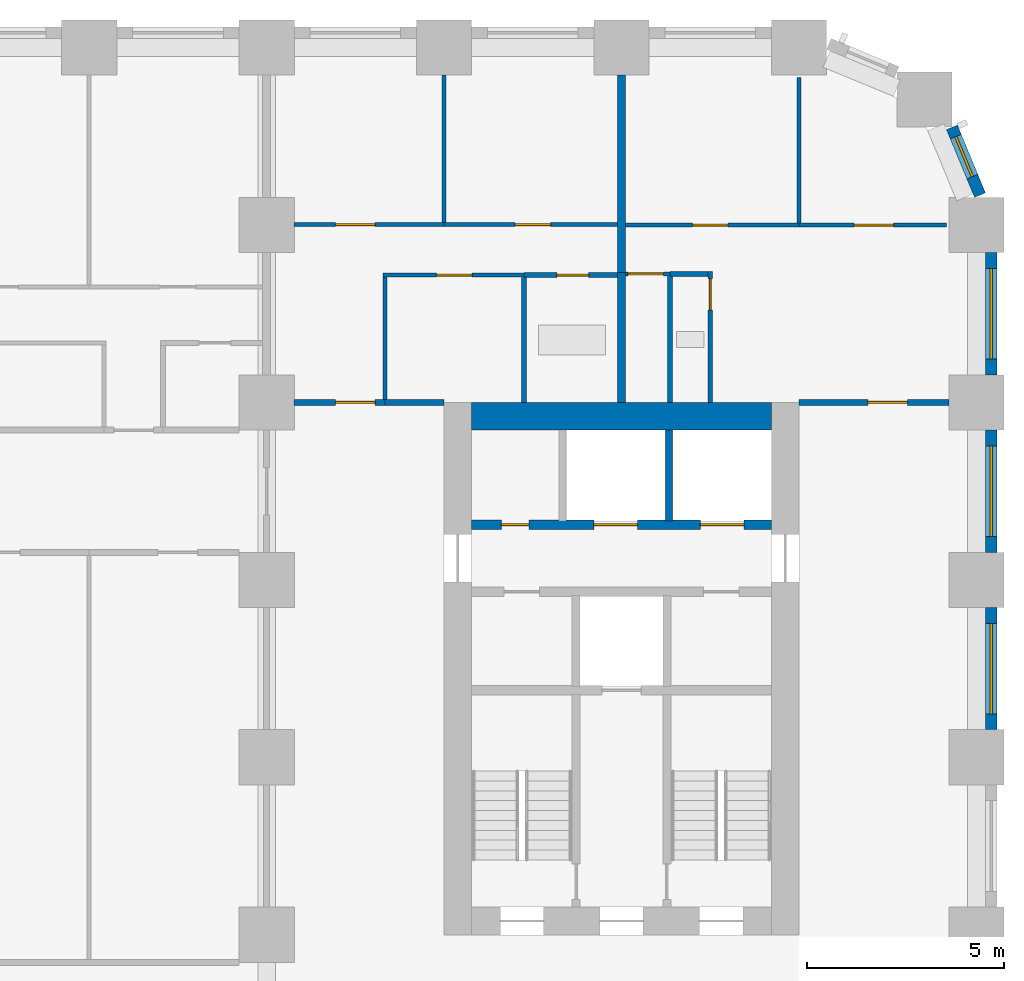
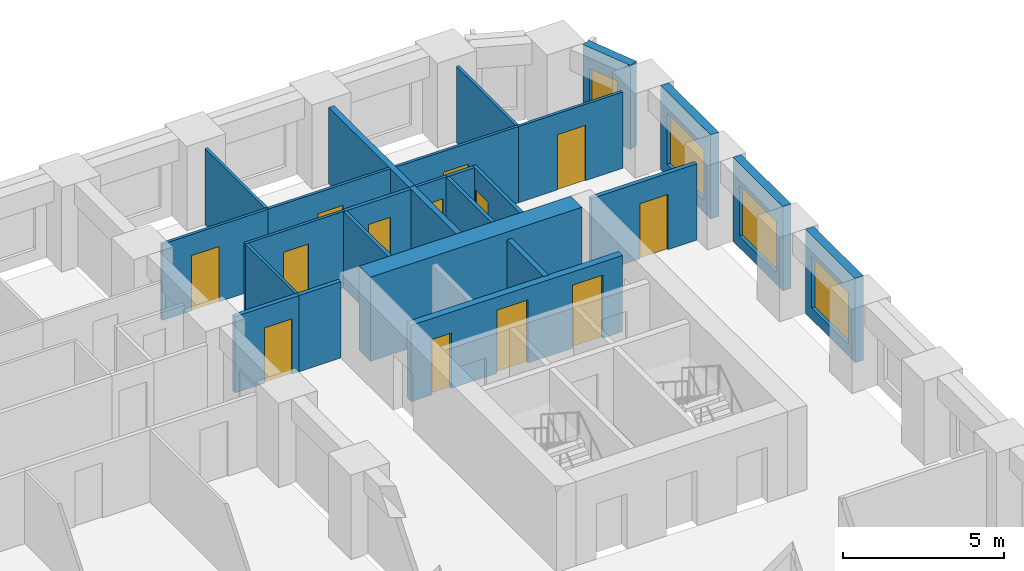
# One storey, part 9 of 13: 26 walls, 13 doors, 4 windows, 17 openings.
"""IFC4 building model written with IfcOpenShell, lengths in metres."""

from ifc_helpers import new_model, si_unit, direction, frame, frame_2d, origin, place, context, subcontext, project, spatial, rectangle, extrude, material, layer, layer_set, type_object, element, fill, save


model = new_model("IFC4")

# Units and contexts
model_context = context("Model", 3, precision=1e-05, world=origin(), true_north=direction((0.0, 1.0)))
body_context = subcontext(model_context, "Body", "Model", "MODEL_VIEW")
ifc_project = project(units=[si_unit("LENGTHUNIT", "METRE"), si_unit("AREAUNIT", "SQUARE_METRE"), si_unit("VOLUMEUNIT", "CUBIC_METRE"), si_unit("PLANEANGLEUNIT", "RADIAN"), si_unit("MASSUNIT", "GRAM", prefix="KILO")], contexts=[model_context])

# Site, building, storey
site_placement = place(None, origin())
site = spatial("IfcSite", under=ifc_project, at=site_placement, CompositionType="ELEMENT")
building_placement = place(site_placement, origin())
building = spatial("IfcBuilding", under=site, at=building_placement, Name="Girih Gate Residences", CompositionType="ELEMENT")
storey_placement = place(building_placement, frame((0.0, 0.0, 46.39990234375)))
storey = spatial("IfcBuildingStorey", under=building, at=storey_placement, Name="L11", CompositionType="ELEMENT", Elevation=46.39990234375)

# Wall, opening, door
ifc_material_1 = material(Name="Gypsum board on steel studs", Category="steel")
ifc_layer_1 = layer(ifc_material_1, 0.14990234375)
ifc_layer_set_1 = layer_set([ifc_layer_1], Name="Compartment wall 150 mm")
wall_type_1 = type_object("IfcWallType", Name="Compartment wall 150 mm", PredefinedType="PARTITIONING", material=ifc_layer_set_1)
wall_1_placement = place(storey_placement, frame((45.0, 40.5, 0.0), z_axis=(0.0, 0.0, 1.0), x_axis=(1.0, 0.0, 0.0)))
wall_1 = element("IfcWall", 1, at=wall_1_placement, inside=storey, type_object=wall_type_1, Name="L11 partition", PredefinedType="PARTITIONING", context=body_context, shape_type="SweptSolid", body=[
    extrude(rectangle(XDim=3.800048828125, YDim=0.14990234375, at=frame_2d((1.89990234375, 0.0))), origin(), (0.0, 0.0, 1.0), 2.900146484375),
])
opening_1_placement = place(wall_1_placement, frame((1.75, 0.0, 0.0)))
opening_1 = element("IfcOpeningElement", 2, at=opening_1_placement, cuts=wall_1, Name="Opening A11-032", PredefinedType="OPENING", context=body_context, shape_type="SweptSolid", body=[
    extrude(rectangle(XDim=1.0, YDim=2.10009765625, at=frame_2d((0.5, 1.050048828125))), frame((0.0, 0.0849609375, 0.0), z_axis=(0.0, -1.0, 0.0), x_axis=(1.0, 0.0, 0.0)), (0.0, 0.0, 1.0), 0.169921875),
])
ifc_material_2 = material(Name="Timber, fire-rated core", Category="wood")
door_type_1 = type_object("IfcDoorType", Name="Flat entrance door 1000x2100 FD30S", OperationType="NOTDEFINED", PredefinedType="DOOR", material=ifc_material_2)
door_1_placement = place(opening_1_placement, origin())
door_1 = element("IfcDoor", 3, at=door_1_placement, inside=storey, type_object=door_type_1, Name="Door A11-032", OperationType="SINGLE_SWING_RIGHT", OverallHeight=2.10009765625, OverallWidth=1.0, PredefinedType="DOOR", context=body_context, shape_type="SweptSolid", body=[
    extrude(rectangle(XDim=1.0, YDim=2.10009765625, at=frame_2d((0.5, 1.050048828125))), frame((0.0, 0.02490234375, 0.0), z_axis=(0.0, -1.0, 0.0), x_axis=(1.0, 0.0, 0.0)), (0.0, 0.0, 1.0), 0.050048828125),
])
fill(opening_1, door_1)

wall_2_placement = place(storey_placement, frame((32.199951171875, 40.5, 0.0), z_axis=(0.0, 0.0, 1.0), x_axis=(1.0, 0.0, 0.0)))
wall_2 = element("IfcWall", 4, at=wall_2_placement, inside=storey, type_object=wall_type_1, Name="L11 partition", PredefinedType="PARTITIONING", context=body_context, shape_type="SweptSolid", body=[
    extrude(rectangle(XDim=2.300048828125, YDim=0.14990234375, at=frame_2d((1.14990234375, 0.0))), origin(), (0.0, 0.0, 1.0), 2.900146484375),
])
opening_2_placement = place(wall_2_placement, frame((1.050048828125, 0.0, 0.0)))
opening_2 = element("IfcOpeningElement", 5, at=opening_2_placement, cuts=wall_2, Name="Opening A11-037", PredefinedType="OPENING", context=body_context, shape_type="SweptSolid", body=[
    extrude(rectangle(XDim=1.0, YDim=2.10009765625, at=frame_2d((0.5, 1.050048828125))), frame((0.0, 0.0849609375, 0.0), z_axis=(0.0, -1.0, 0.0), x_axis=(1.0, 0.0, 0.0)), (0.0, 0.0, 1.0), 0.169921875),
])
door_2_placement = place(opening_2_placement, origin())
door_2 = element("IfcDoor", 6, at=door_2_placement, inside=storey, type_object=door_type_1, Name="Door A11-037", OperationType="SINGLE_SWING_RIGHT", OverallHeight=2.10009765625, OverallWidth=1.0, PredefinedType="DOOR", context=body_context, shape_type="SweptSolid", body=[
    extrude(rectangle(XDim=1.0, YDim=2.10009765625, at=frame_2d((0.5, 1.050048828125))), frame((0.0, 0.02490234375, 0.0), z_axis=(0.0, -1.0, 0.0), x_axis=(1.0, 0.0, 0.0)), (0.0, 0.0, 1.0), 0.050048828125),
])
fill(opening_2, door_2)

# Walls
wall_3_placement = place(storey_placement, frame((34.5, 40.5, 0.0), z_axis=(0.0, 0.0, 1.0), x_axis=(1.0, 0.0, 0.0)))
element("IfcWall", 7, at=wall_3_placement, inside=storey, type_object=wall_type_1, Name="L11 partition", PredefinedType="PARTITIONING", context=body_context, shape_type="SweptSolid", body=[
    extrude(rectangle(XDim=1.5, YDim=0.14990234375, at=frame_2d((0.75, 0.0))), origin(), (0.0, 0.0, 1.0), 2.900146484375),
])
ifc_material_3 = material(Name="Concrete C60/75", Category="concrete")
ifc_layer_2 = layer(ifc_material_3, 0.699951171875)
ifc_layer_set_2 = layer_set([ifc_layer_2], Name="Core wall RC 700 Concrete C60/75")
wall_type_2 = type_object("IfcWallType", Name="Core wall RC 700 Concrete C60/75", PredefinedType="SOLIDWALL", material=ifc_layer_set_2)
wall_4_placement = place(storey_placement, frame((36.699951171875, 40.14990234375, 0.0), z_axis=(0.0, 0.0, 1.0), x_axis=(1.0, 0.0, 0.0)))
element("IfcWall", 8, at=wall_4_placement, inside=storey, type_object=wall_type_2, Name="Core wall E-N L11", PredefinedType="SOLIDWALL", context=body_context, shape_type="SweptSolid", body=[
    extrude(rectangle(XDim=7.60009765625, YDim=0.699951171875, at=frame_2d((3.800048828125, 0.0))), origin(), (0.0, 0.0, 1.0), 3.2001953125),
])

# Wall, openings, doors
ifc_material_4 = material(Name="Concrete C40/50", Category="concrete")
ifc_layer_3 = layer(ifc_material_4, 0.25)
ifc_layer_set_3 = layer_set([ifc_layer_3], Name="Lift shaft wall 250")
wall_type_3 = type_object("IfcWallType", Name="Lift shaft wall 250", PredefinedType="SOLIDWALL", material=ifc_layer_set_3)
wall_5_placement = place(storey_placement, frame((36.699951171875, 37.39990234375, 0.0), z_axis=(0.0, 0.0, 1.0), x_axis=(1.0, 0.0, 0.0)))
wall_5 = element("IfcWall", 9, at=wall_5_placement, inside=storey, type_object=wall_type_3, Name="L11 E core wall H3", PredefinedType="SOLIDWALL", context=body_context, shape_type="SweptSolid", body=[
    extrude(rectangle(XDim=7.60009765625, YDim=0.25, at=frame_2d((3.800048828125, 0.0))), origin(), (0.0, 0.0, 1.0), 2.900146484375),
])
opening_3_placement = place(wall_5_placement, frame((5.800048828125, 0.0, 0.0)))
opening_3 = element("IfcOpeningElement", 10, at=opening_3_placement, cuts=wall_5, Name="Opening D-L11-E-003", PredefinedType="OPENING", context=body_context, shape_type="SweptSolid", body=[
    extrude(rectangle(XDim=1.10009765625, YDim=2.39990234375, at=frame_2d((0.550048828125, 1.199951171875))), frame((0.0, 0.135009765625, 0.0), z_axis=(0.0, -1.0, 0.0), x_axis=(1.0, 0.0, 0.0)), (0.0, 0.0, 1.0), 0.27001953125),
])
opening_4_placement = place(wall_5_placement, frame((3.10009765625, 0.0, 0.0)))
opening_4 = element("IfcOpeningElement", 11, at=opening_4_placement, cuts=wall_5, Name="Opening D-L11-E-004", PredefinedType="OPENING", context=body_context, shape_type="SweptSolid", body=[
    extrude(rectangle(XDim=1.10009765625, YDim=2.39990234375, at=frame_2d((0.550048828125, 1.199951171875))), frame((0.0, 0.135009765625, 0.0), z_axis=(0.0, -1.0, 0.0), x_axis=(1.0, 0.0, 0.0)), (0.0, 0.0, 1.0), 0.27001953125),
])
opening_5_placement = place(wall_5_placement, frame((0.75, 0.0, 0.0)))
opening_5 = element("IfcOpeningElement", 12, at=opening_5_placement, cuts=wall_5, Name="Opening D-L11-E-006", PredefinedType="OPENING", context=body_context, shape_type="SweptSolid", body=[
    extrude(rectangle(XDim=0.699951171875, YDim=2.10009765625, at=frame_2d((0.35009765625, 1.050048828125))), frame((0.0, 0.135009765625, 0.0), z_axis=(0.0, -1.0, 0.0), x_axis=(1.0, 0.0, 0.0)), (0.0, 0.0, 1.0), 0.27001953125),
])
ifc_material_5 = material(Name="Stainless steel", Category="steel")
door_type_2 = type_object("IfcDoorType", Name="Lift landing door 1100x2400", OperationType="SLIDING_TO_LEFT", PredefinedType="DOOR", material=ifc_material_5)
door_3_placement = place(opening_3_placement, origin())
door_3 = element("IfcDoor", 13, at=door_3_placement, inside=storey, type_object=door_type_2, Name="L11 lift LR-E1 landing door", OperationType="SLIDING_TO_LEFT", OverallHeight=2.39990234375, OverallWidth=1.10009765625, PredefinedType="DOOR", context=body_context, shape_type="SweptSolid", body=[
    extrude(rectangle(XDim=1.10009765625, YDim=2.39990234375, at=frame_2d((0.550048828125, 1.199951171875))), frame((0.0, 0.02490234375, 0.0), z_axis=(0.0, -1.0, 0.0), x_axis=(1.0, 0.0, 0.0)), (0.0, 0.0, 1.0), 0.050048828125),
])
fill(opening_3, door_3)
door_4_placement = place(opening_4_placement, origin())
door_4 = element("IfcDoor", 14, at=door_4_placement, inside=storey, type_object=door_type_2, Name="L11 lift LR-E2 landing door", OperationType="SLIDING_TO_LEFT", OverallHeight=2.39990234375, OverallWidth=1.10009765625, PredefinedType="DOOR", context=body_context, shape_type="SweptSolid", body=[
    extrude(rectangle(XDim=1.10009765625, YDim=2.39990234375, at=frame_2d((0.550048828125, 1.199951171875))), frame((0.0, 0.02490234375, 0.0), z_axis=(0.0, -1.0, 0.0), x_axis=(1.0, 0.0, 0.0)), (0.0, 0.0, 1.0), 0.050048828125),
])
fill(opening_4, door_4)
ifc_material_6 = material(Name="Painted steel, fire-resisting", Category="steel")
door_type_3 = type_object("IfcDoorType", Name="Riser access door 700x2100", OperationType="SINGLE_SWING_LEFT", PredefinedType="DOOR", material=ifc_material_6)
door_5_placement = place(opening_5_placement, origin())
door_5 = element("IfcDoor", 15, at=door_5_placement, inside=storey, type_object=door_type_3, Name="L11 E riser room door", OperationType="SINGLE_SWING_LEFT", OverallHeight=2.10009765625, OverallWidth=0.699951171875, PredefinedType="DOOR", context=body_context, shape_type="SweptSolid", body=[
    extrude(rectangle(XDim=0.699951171875, YDim=2.10009765625, at=frame_2d((0.35009765625, 1.050048828125))), frame((0.0, 0.02490234375, 0.0), z_axis=(0.0, -1.0, 0.0), x_axis=(1.0, 0.0, 0.0)), (0.0, 0.0, 1.0), 0.050048828125),
])
fill(opening_5, door_5)

# Wall, opening, door
ifc_layer_4 = layer(ifc_material_1, 0.10009765625)
ifc_layer_set_4 = layer_set([ifc_layer_4], Name="Partition 100 mm")
wall_type_4 = type_object("IfcWallType", Name="Partition 100 mm", PredefinedType="PARTITIONING", material=ifc_layer_set_4)
wall_6_placement = place(storey_placement, frame((40.60009765625, 45.0, 0.0), z_axis=(0.0, 0.0, 1.0), x_axis=(1.0, 0.0, 0.0)))
wall_6 = element("IfcWall", 16, at=wall_6_placement, inside=storey, type_object=wall_type_4, Name="L11 partition", PredefinedType="PARTITIONING", context=body_context, shape_type="SweptSolid", body=[
    extrude(rectangle(XDim=4.39990234375, YDim=0.10009765625, at=frame_2d((2.199951171875, 0.0))), origin(), (0.0, 0.0, 1.0), 2.900146484375),
])
opening_6_placement = place(wall_6_placement, frame((1.699951171875, 0.0, 0.0)))
opening_6 = element("IfcOpeningElement", 17, at=opening_6_placement, cuts=wall_6, Name="Opening A11-029", PredefinedType="OPENING", context=body_context, shape_type="SweptSolid", body=[
    extrude(rectangle(XDim=0.89990234375, YDim=2.10009765625, at=frame_2d((0.449951171875, 1.050048828125))), frame((0.0, 0.06005859375, 0.0), z_axis=(0.0, -1.0, 0.0), x_axis=(1.0, 0.0, 0.0)), (0.0, 0.0, 1.0), 0.1201171875),
])
ifc_material_7 = material(Name="Timber", Category="wood")
door_type_4 = type_object("IfcDoorType", Name="Bedroom door 900x2100", OperationType="NOTDEFINED", PredefinedType="DOOR", material=ifc_material_7)
door_6_placement = place(opening_6_placement, origin())
door_6 = element("IfcDoor", 18, at=door_6_placement, inside=storey, type_object=door_type_4, Name="Door A11-029", OperationType="SINGLE_SWING_LEFT", OverallHeight=2.10009765625, OverallWidth=0.89990234375, PredefinedType="DOOR", context=body_context, shape_type="SweptSolid", body=[
    extrude(rectangle(XDim=0.89990234375, YDim=2.10009765625, at=frame_2d((0.449951171875, 1.050048828125))), frame((0.0, 0.02490234375, 0.0), z_axis=(0.0, -1.0, 0.0), x_axis=(1.0, 0.0, 0.0)), (0.0, 0.0, 1.0), 0.050048828125),
])
fill(opening_6, door_6)

# Wall
wall_7_placement = place(storey_placement, frame((45.0, 45.050048828125, 0.0), z_axis=(0.0, 0.0, 1.0), x_axis=(0.0, 1.0, 0.0)))
element("IfcWall", 19, at=wall_7_placement, inside=storey, type_object=wall_type_4, Name="L11 partition", PredefinedType="PARTITIONING", context=body_context, shape_type="SweptSolid", body=[
    extrude(rectangle(XDim=3.6923828125, YDim=0.10009765625, at=frame_2d((1.84619140625, 0.0))), origin(), (0.0, 0.0, 1.0), 2.900146484375),
])

# Wall, opening, door
wall_8_placement = place(storey_placement, frame((41.727294921875, 43.760009765625, 0.0), z_axis=(0.0, 0.0, 1.0), x_axis=(-1.0, 0.0, 0.0)))
wall_8 = element("IfcWall", 20, at=wall_8_placement, inside=storey, type_object=wall_type_4, Name="L11 partition", PredefinedType="PARTITIONING", context=body_context, shape_type="SweptSolid", body=[
    extrude(rectangle(XDim=1.127197265625, YDim=0.10009765625, at=frame_2d((0.5634765625, 0.0))), origin(), (0.0, 0.0, 1.0), 2.900146484375),
])
opening_7_placement = place(wall_8_placement, frame((0.16357421875, 0.0, 0.0)))
opening_7 = element("IfcOpeningElement", 21, at=opening_7_placement, cuts=wall_8, Name="Opening A11-030", PredefinedType="OPENING", context=body_context, shape_type="SweptSolid", body=[
    extrude(rectangle(XDim=0.89990234375, YDim=2.10009765625, at=frame_2d((0.449951171875, 1.050048828125))), frame((0.0, 0.06005859375, 0.0), z_axis=(0.0, -1.0, 0.0), x_axis=(1.0, 0.0, 0.0)), (0.0, 0.0, 1.0), 0.1201171875),
])
door_type_5 = type_object("IfcDoorType", Name="Kitchen door 900x2100", OperationType="NOTDEFINED", PredefinedType="DOOR", material=ifc_material_7)
door_7_placement = place(opening_7_placement, origin())
door_7 = element("IfcDoor", 22, at=door_7_placement, inside=storey, type_object=door_type_5, Name="Door A11-030", OperationType="SINGLE_SWING_RIGHT", OverallHeight=2.10009765625, OverallWidth=0.89990234375, PredefinedType="DOOR", context=body_context, shape_type="SweptSolid", body=[
    extrude(rectangle(XDim=0.89990234375, YDim=2.10009765625, at=frame_2d((0.449951171875, 1.050048828125))), frame((0.0, 0.02490234375, 0.0), z_axis=(0.0, -1.0, 0.0), x_axis=(1.0, 0.0, 0.0)), (0.0, 0.0, 1.0), 0.050048828125),
])
fill(opening_7, door_7)

wall_9_placement = place(storey_placement, frame((45.0, 45.0, 0.0), z_axis=(0.0, 0.0, 1.0), x_axis=(1.0, 0.0, 0.0)))
wall_9 = element("IfcWall", 23, at=wall_9_placement, inside=storey, type_object=wall_type_4, Name="L11 partition", PredefinedType="PARTITIONING", context=body_context, shape_type="SweptSolid", body=[
    extrude(rectangle(XDim=3.742431640625, YDim=0.10009765625, at=frame_2d((1.87109375, 0.0))), origin(), (0.0, 0.0, 1.0), 2.900146484375),
])
opening_8_placement = place(wall_9_placement, frame((1.39990234375, 0.0, 0.0)))
opening_8 = element("IfcOpeningElement", 24, at=opening_8_placement, cuts=wall_9, Name="Opening A11-031", PredefinedType="OPENING", context=body_context, shape_type="SweptSolid", body=[
    extrude(rectangle(XDim=1.0, YDim=2.10009765625, at=frame_2d((0.5, 1.050048828125))), frame((0.0, 0.06005859375, 0.0), z_axis=(0.0, -1.0, 0.0), x_axis=(1.0, 0.0, 0.0)), (0.0, 0.0, 1.0), 0.1201171875),
])
door_type_6 = type_object("IfcDoorType", Name="Living room door 1000x2100", OperationType="NOTDEFINED", PredefinedType="DOOR", material=ifc_material_7)
door_8_placement = place(opening_8_placement, origin())
door_8 = element("IfcDoor", 25, at=door_8_placement, inside=storey, type_object=door_type_6, Name="Door A11-031", OperationType="SINGLE_SWING_RIGHT", OverallHeight=2.10009765625, OverallWidth=1.0, PredefinedType="DOOR", context=body_context, shape_type="SweptSolid", body=[
    extrude(rectangle(XDim=1.0, YDim=2.10009765625, at=frame_2d((0.5, 1.050048828125))), frame((0.0, 0.02490234375, 0.0), z_axis=(0.0, -1.0, 0.0), x_axis=(1.0, 0.0, 0.0)), (0.0, 0.0, 1.0), 0.050048828125),
])
fill(opening_8, door_8)

wall_10_placement = place(storey_placement, frame((36.0, 45.010009765625, 0.0), z_axis=(0.0, 0.0, 1.0), x_axis=(1.0, 0.0, 0.0)))
wall_10 = element("IfcWall", 26, at=wall_10_placement, inside=storey, type_object=wall_type_4, Name="L11 partition", PredefinedType="PARTITIONING", context=body_context, shape_type="SweptSolid", body=[
    extrude(rectangle(XDim=4.39990234375, YDim=0.10009765625, at=frame_2d((2.199951171875, 0.0))), origin(), (0.0, 0.0, 1.0), 2.900146484375),
])
opening_9_placement = place(wall_10_placement, frame((1.800048828125, 0.0, 0.0)))
opening_9 = element("IfcOpeningElement", 27, at=opening_9_placement, cuts=wall_10, Name="Opening A11-034", PredefinedType="OPENING", context=body_context, shape_type="SweptSolid", body=[
    extrude(rectangle(XDim=0.89990234375, YDim=2.10009765625, at=frame_2d((0.449951171875, 1.050048828125))), frame((0.0, 0.06005859375, 0.0), z_axis=(0.0, -1.0, 0.0), x_axis=(1.0, 0.0, 0.0)), (0.0, 0.0, 1.0), 0.1201171875),
])
door_9_placement = place(opening_9_placement, origin())
door_9 = element("IfcDoor", 28, at=door_9_placement, inside=storey, type_object=door_type_4, Name="Door A11-034", OperationType="SINGLE_SWING_RIGHT", OverallHeight=2.10009765625, OverallWidth=0.89990234375, PredefinedType="DOOR", context=body_context, shape_type="SweptSolid", body=[
    extrude(rectangle(XDim=0.89990234375, YDim=2.10009765625, at=frame_2d((0.449951171875, 1.050048828125))), frame((0.0, 0.02490234375, 0.0), z_axis=(0.0, -1.0, 0.0), x_axis=(1.0, 0.0, 0.0)), (0.0, 0.0, 1.0), 0.050048828125),
])
fill(opening_9, door_9)

# Wall
wall_11_placement = place(storey_placement, frame((36.0, 45.06005859375, 0.0), z_axis=(0.0, 0.0, 1.0), x_axis=(0.0, 1.0, 0.0)))
element("IfcWall", 29, at=wall_11_placement, inside=storey, type_object=wall_type_4, Name="L11 partition", PredefinedType="PARTITIONING", context=body_context, shape_type="SweptSolid", body=[
    extrude(rectangle(XDim=3.739990234375, YDim=0.10009765625, at=frame_2d((1.8701171875, 0.0))), origin(), (0.0, 0.0, 1.0), 2.900146484375),
])

# Wall, opening, door
wall_12_placement = place(storey_placement, frame((38.026611328125, 43.72998046875, 0.0), z_axis=(0.0, 0.0, 1.0), x_axis=(-1.0, 0.0, 0.0)))
wall_12 = element("IfcWall", 30, at=wall_12_placement, inside=storey, type_object=wall_type_4, Name="L11 partition", PredefinedType="PARTITIONING", context=body_context, shape_type="SweptSolid", body=[
    extrude(rectangle(XDim=3.57666015625, YDim=0.10009765625, at=frame_2d((1.788330078125, 0.0))), origin(), (0.0, 0.0, 1.0), 2.900146484375),
])
opening_10_placement = place(wall_12_placement, frame((1.313232421875, 0.0, 0.0)))
opening_10 = element("IfcOpeningElement", 31, at=opening_10_placement, cuts=wall_12, Name="Opening A11-035", PredefinedType="OPENING", context=body_context, shape_type="SweptSolid", body=[
    extrude(rectangle(XDim=0.89990234375, YDim=2.10009765625, at=frame_2d((0.449951171875, 1.050048828125))), frame((0.0, 0.06005859375, 0.0), z_axis=(0.0, -1.0, 0.0), x_axis=(1.0, 0.0, 0.0)), (0.0, 0.0, 1.0), 0.1201171875),
])
door_10_placement = place(opening_10_placement, origin())
door_10 = element("IfcDoor", 32, at=door_10_placement, inside=storey, type_object=door_type_5, Name="Door A11-035", OperationType="SINGLE_SWING_LEFT", OverallHeight=2.10009765625, OverallWidth=0.89990234375, PredefinedType="DOOR", context=body_context, shape_type="SweptSolid", body=[
    extrude(rectangle(XDim=0.89990234375, YDim=2.10009765625, at=frame_2d((0.449951171875, 1.050048828125))), frame((0.0, 0.02490234375, 0.0), z_axis=(0.0, -1.0, 0.0), x_axis=(1.0, 0.0, 0.0)), (0.0, 0.0, 1.0), 0.050048828125),
])
fill(opening_10, door_10)

# Wall
wall_13_placement = place(storey_placement, frame((34.5, 40.574951171875, 0.0), z_axis=(0.0, 0.0, 1.0), x_axis=(0.0, 1.0, 0.0)))
element("IfcWall", 33, at=wall_13_placement, inside=storey, type_object=wall_type_4, Name="L11 partition", PredefinedType="PARTITIONING", context=body_context, shape_type="SweptSolid", body=[
    extrude(rectangle(XDim=3.10498046875, YDim=0.10009765625, at=frame_2d((1.552490234375, 0.0))), origin(), (0.0, 0.0, 1.0), 2.900146484375),
])

# Wall, opening, door
wall_14_placement = place(storey_placement, frame((32.199951171875, 45.010009765625, 0.0), z_axis=(0.0, 0.0, 1.0), x_axis=(1.0, 0.0, 0.0)))
wall_14 = element("IfcWall", 34, at=wall_14_placement, inside=storey, type_object=wall_type_4, Name="L11 partition", PredefinedType="PARTITIONING", context=body_context, shape_type="SweptSolid", body=[
    extrude(rectangle(XDim=3.800048828125, YDim=0.10009765625, at=frame_2d((1.89990234375, 0.0))), origin(), (0.0, 0.0, 1.0), 2.900146484375),
])
opening_11_placement = place(wall_14_placement, frame((1.050048828125, 0.0, 0.0)))
opening_11 = element("IfcOpeningElement", 35, at=opening_11_placement, cuts=wall_14, Name="Opening A11-036", PredefinedType="OPENING", context=body_context, shape_type="SweptSolid", body=[
    extrude(rectangle(XDim=1.0, YDim=2.10009765625, at=frame_2d((0.5, 1.050048828125))), frame((0.0, 0.06005859375, 0.0), z_axis=(0.0, -1.0, 0.0), x_axis=(1.0, 0.0, 0.0)), (0.0, 0.0, 1.0), 0.1201171875),
])
door_11_placement = place(opening_11_placement, origin())
door_11 = element("IfcDoor", 36, at=door_11_placement, inside=storey, type_object=door_type_6, Name="Door A11-036", OperationType="SINGLE_SWING_LEFT", OverallHeight=2.10009765625, OverallWidth=1.0, PredefinedType="DOOR", context=body_context, shape_type="SweptSolid", body=[
    extrude(rectangle(XDim=1.0, YDim=2.10009765625, at=frame_2d((0.5, 1.050048828125))), frame((0.0, 0.02490234375, 0.0), z_axis=(0.0, -1.0, 0.0), x_axis=(1.0, 0.0, 0.0)), (0.0, 0.0, 1.0), 0.050048828125),
])
fill(opening_11, door_11)

# Walls
ifc_layer_5 = layer(ifc_material_1, 0.199951171875)
ifc_layer_set_5 = layer_set([ifc_layer_5], Name="Party wall 200 mm")
wall_type_5 = type_object("IfcWallType", Name="Party wall 200 mm", PredefinedType="PARTITIONING", material=ifc_layer_set_5)
wall_15_placement = place(storey_placement, frame((40.5, 43.7099609375, 0.0), z_axis=(0.0, 0.0, 1.0), x_axis=(0.0, 1.0, 0.0)))
element("IfcWall", 37, at=wall_15_placement, inside=storey, type_object=wall_type_5, Name="L11 partition", PredefinedType="PARTITIONING", context=body_context, shape_type="SweptSolid", body=[
    extrude(rectangle(XDim=5.090087890625, YDim=0.199951171875, at=frame_2d((2.544921875, 0.0))), origin(), (0.0, 0.0, 1.0), 2.900146484375),
])
wall_16_placement = place(storey_placement, frame((40.5, 40.5, 0.0), z_axis=(0.0, 0.0, 1.0), x_axis=(0.0, 1.0, 0.0)))
element("IfcWall", 38, at=wall_16_placement, inside=storey, type_object=wall_type_5, Name="L11 partition", PredefinedType="PARTITIONING", context=body_context, shape_type="SweptSolid", body=[
    extrude(rectangle(XDim=3.29248046875, YDim=0.199951171875, at=frame_2d((1.646240234375, 0.0))), origin(), (0.0, 0.0, 1.0), 2.900146484375),
])

# Wall, opening, window
ifc_material_8 = material(Name="Precast concrete C50/60", Category="concrete")
ifc_layer_6 = layer(ifc_material_8, 0.080078125, Name="Outer leaf")
ifc_material_9 = material(Name="Rigid PIR insulation")
ifc_layer_7 = layer(ifc_material_9, 0.14990234375, Name="Insulation")
ifc_material_10 = material(Name="Precast concrete C40/50", Category="concrete")
ifc_layer_8 = layer(ifc_material_10, 0.070068359375, Name="Inner leaf")
ifc_layer_set_6 = layer_set([ifc_layer_6, ifc_layer_7, ifc_layer_8], Name="Precast concrete C50/60 external wall 300")
wall_type_6 = type_object("IfcWallType", Name="Precast concrete C50/60 external wall 300", PredefinedType="SOLIDWALL", material=ifc_layer_set_6)
wall_17_placement = place(storey_placement, frame((49.875, 35.300048828125, 0.0), z_axis=(0.0, 0.0, 1.0), x_axis=(0.0, -1.0, 0.0)))
wall_17 = element("IfcWall", 39, at=wall_17_placement, inside=storey, type_object=wall_type_6, Name="External wall E0495_0045.6", PredefinedType="SOLIDWALL", context=body_context, shape_type="SweptSolid", body=[
    extrude(rectangle(XDim=3.10009765625, YDim=0.300048828125, at=frame_2d((1.550048828125, 0.0))), origin(), (0.0, 0.0, 1.0), 3.2001953125),
])
opening_12_placement = place(wall_17_placement, frame((0.39990234375, 0.0, 0.449951171875)))
opening_12 = element("IfcOpeningElement", 40, at=opening_12_placement, cuts=wall_17, Name="Opening W-1", PredefinedType="OPENING", context=body_context, shape_type="SweptSolid", body=[
    extrude(rectangle(XDim=2.300048828125, YDim=1.949951171875, at=frame_2d((1.14990234375, 0.97509765625))), frame((0.0, 0.159912109375, 0.0), z_axis=(0.0, -1.0, 0.0), x_axis=(1.0, 0.0, 0.0)), (0.0, 0.0, 1.0), 0.320068359375),
])
ifc_material_11 = material(Name="Double glazing in aluminium frame", Category="aluminium")
window_type_1 = type_object("IfcWindowType", Name="Window W-1 2300x1950", PartitioningType="SINGLE_PANEL", PredefinedType="WINDOW", material=ifc_material_11)
window_1_placement = place(opening_12_placement, origin())
window_1 = element("IfcWindow", 41, at=window_1_placement, inside=storey, type_object=window_type_1, Name="Window W-1 E0495_0045.6", OverallHeight=1.949951171875, OverallWidth=2.300048828125, PartitioningType="SINGLE_PANEL", PredefinedType="WINDOW", context=body_context, shape_type="SweptSolid", body=[
    extrude(rectangle(XDim=2.300048828125, YDim=1.949951171875, at=frame_2d((1.14990234375, 0.97509765625))), frame((0.0, 0.030029296875, 0.0), z_axis=(0.0, -1.0, 0.0), x_axis=(1.0, 0.0, 0.0)), (0.0, 0.0, 1.0), 0.06005859375),
])
fill(opening_12, window_1)

wall_18_placement = place(storey_placement, frame((49.875, 39.800048828125, 0.0), z_axis=(0.0, 0.0, 1.0), x_axis=(0.0, -1.0, 0.0)))
wall_18 = element("IfcWall", 42, at=wall_18_placement, inside=storey, type_object=wall_type_6, Name="External wall E0495_0045.7", PredefinedType="SOLIDWALL", context=body_context, shape_type="SweptSolid", body=[
    extrude(rectangle(XDim=3.10009765625, YDim=0.300048828125, at=frame_2d((1.550048828125, 0.0))), origin(), (0.0, 0.0, 1.0), 3.2001953125),
])
opening_13_placement = place(wall_18_placement, frame((0.39990234375, 0.0, 0.449951171875)))
opening_13 = element("IfcOpeningElement", 43, at=opening_13_placement, cuts=wall_18, Name="Opening W-1", PredefinedType="OPENING", context=body_context, shape_type="SweptSolid", body=[
    extrude(rectangle(XDim=2.300048828125, YDim=1.949951171875, at=frame_2d((1.14990234375, 0.97509765625))), frame((0.0, 0.159912109375, 0.0), z_axis=(0.0, -1.0, 0.0), x_axis=(1.0, 0.0, 0.0)), (0.0, 0.0, 1.0), 0.320068359375),
])
window_2_placement = place(opening_13_placement, origin())
window_2 = element("IfcWindow", 44, at=window_2_placement, inside=storey, type_object=window_type_1, Name="Window W-1 E0495_0045.7", OverallHeight=1.949951171875, OverallWidth=2.300048828125, PartitioningType="SINGLE_PANEL", PredefinedType="WINDOW", context=body_context, shape_type="SweptSolid", body=[
    extrude(rectangle(XDim=2.300048828125, YDim=1.949951171875, at=frame_2d((1.14990234375, 0.97509765625))), frame((0.0, 0.030029296875, 0.0), z_axis=(0.0, -1.0, 0.0), x_axis=(1.0, 0.0, 0.0)), (0.0, 0.0, 1.0), 0.06005859375),
])
fill(opening_13, window_2)

wall_19_placement = place(storey_placement, frame((49.875, 44.300048828125, 0.0), z_axis=(0.0, 0.0, 1.0), x_axis=(0.0, -1.0, 0.0)))
wall_19 = element("IfcWall", 45, at=wall_19_placement, inside=storey, type_object=wall_type_6, Name="External wall E0495_0045.8", PredefinedType="SOLIDWALL", context=body_context, shape_type="SweptSolid", body=[
    extrude(rectangle(XDim=3.10009765625, YDim=0.300048828125, at=frame_2d((1.550048828125, 0.0))), origin(), (0.0, 0.0, 1.0), 3.2001953125),
])
opening_14_placement = place(wall_19_placement, frame((0.39990234375, 0.0, 0.449951171875)))
opening_14 = element("IfcOpeningElement", 46, at=opening_14_placement, cuts=wall_19, Name="Opening W-1", PredefinedType="OPENING", context=body_context, shape_type="SweptSolid", body=[
    extrude(rectangle(XDim=2.300048828125, YDim=1.949951171875, at=frame_2d((1.14990234375, 0.97509765625))), frame((0.0, 0.159912109375, 0.0), z_axis=(0.0, -1.0, 0.0), x_axis=(1.0, 0.0, 0.0)), (0.0, 0.0, 1.0), 0.320068359375),
])
window_3_placement = place(opening_14_placement, origin())
window_3 = element("IfcWindow", 47, at=window_3_placement, inside=storey, type_object=window_type_1, Name="Window W-1 E0495_0045.8", OverallHeight=1.949951171875, OverallWidth=2.300048828125, PartitioningType="SINGLE_PANEL", PredefinedType="WINDOW", context=body_context, shape_type="SweptSolid", body=[
    extrude(rectangle(XDim=2.300048828125, YDim=1.949951171875, at=frame_2d((1.14990234375, 0.97509765625))), frame((0.0, 0.030029296875, 0.0), z_axis=(0.0, -1.0, 0.0), x_axis=(1.0, 0.0, 0.0)), (0.0, 0.0, 1.0), 0.06005859375),
])
fill(opening_14, window_3)

wall_20_placement = place(storey_placement, frame((48.87841796875, 47.48046875, 0.0), z_axis=(0.0, 0.0, 1.0), x_axis=(0.38262540684, -0.923903565336, 0.0)))
wall_20 = element("IfcWall", 48, at=wall_20_placement, inside=storey, type_object=wall_type_6, Name="External wall NE0495_0450.0", PredefinedType="SOLIDWALL", context=body_context, shape_type="SweptSolid", body=[
    extrude(rectangle(XDim=1.864990234375, YDim=0.300048828125, at=frame_2d((0.9326171875, 0.0))), origin(), (0.0, 0.0, 1.0), 3.2001953125),
])
opening_15_placement = place(wall_20_placement, frame((0.257568359375, 0.0, 0.449951171875)))
opening_15 = element("IfcOpeningElement", 49, at=opening_15_placement, cuts=wall_20, Name="Opening W-2C", PredefinedType="OPENING", context=body_context, shape_type="SweptSolid", body=[
    extrude(rectangle(XDim=1.10009765625, YDim=1.949951171875, at=frame_2d((0.550048828125, 0.97509765625))), frame((0.0, 0.159912109375, 0.0), z_axis=(0.0, -1.0, 0.0), x_axis=(1.0, 0.0, 0.0)), (0.0, 0.0, 1.0), 0.320068359375),
])
window_type_2 = type_object("IfcWindowType", Name="Window W-2C 1100x1950", PartitioningType="SINGLE_PANEL", PredefinedType="WINDOW", material=ifc_material_11)
window_4_placement = place(opening_15_placement, origin())
window_4 = element("IfcWindow", 50, at=window_4_placement, inside=storey, type_object=window_type_2, Name="Window W-2C NE0495_0450.0", OverallHeight=1.949951171875, OverallWidth=1.10009765625, PartitioningType="SINGLE_PANEL", PredefinedType="WINDOW", context=body_context, shape_type="SweptSolid", body=[
    extrude(rectangle(XDim=1.10009765625, YDim=1.949951171875, at=frame_2d((0.550048828125, 0.97509765625))), frame((0.0, 0.030029296875, 0.0), z_axis=(0.0, -1.0, 0.0), x_axis=(1.0, 0.0, 0.0)), (0.0, 0.0, 1.0), 0.06005859375),
])
fill(opening_15, window_4)

# Walls
ifc_layer_9 = layer(ifc_material_4, 0.175048828125)
ifc_layer_set_7 = layer_set([ifc_layer_9], Name="Riser shaft wall 175")
wall_type_7 = type_object("IfcWallType", Name="Riser shaft wall 175", PredefinedType="SOLIDWALL", material=ifc_layer_set_7)
wall_21_placement = place(storey_placement, frame((41.699951171875, 37.5, 0.0), z_axis=(0.0, 0.0, 1.0), x_axis=(0.0, 1.0, 0.0)))
element("IfcWall", 51, at=wall_21_placement, inside=storey, type_object=wall_type_7, Name="L11 E core wall V1c", PredefinedType="SOLIDWALL", context=body_context, shape_type="SweptSolid", body=[
    extrude(rectangle(XDim=2.300048828125, YDim=0.175048828125, at=frame_2d((1.14990234375, 0.0))), origin(), (0.0, 0.0, 1.0), 2.900146484375),
])
ifc_layer_10 = layer(ifc_material_1, 0.125)
ifc_layer_set_8 = layer_set([ifc_layer_10], Name="Wet room wall 125 mm")
wall_type_8 = type_object("IfcWallType", Name="Wet room wall 125 mm", PredefinedType="PARTITIONING", material=ifc_layer_set_8)
wall_22_placement = place(storey_placement, frame((41.727294921875, 43.760009765625, 0.0), z_axis=(0.0, 0.0, 1.0), x_axis=(1.0, 0.0, 0.0)))
element("IfcWall", 52, at=wall_22_placement, inside=storey, type_object=wall_type_8, Name="L11 partition", PredefinedType="PARTITIONING", context=body_context, shape_type="SweptSolid", body=[
    extrude(rectangle(XDim=0.960205078125, YDim=0.125, at=frame_2d((0.47998046875, 0.0))), origin(), (0.0, 0.0, 1.0), 2.900146484375),
])

# Wall, opening, door
wall_23_placement = place(storey_placement, frame((42.75, 40.5, 0.0), z_axis=(0.0, 0.0, 1.0), x_axis=(0.0, 1.0, 0.0)))
wall_23 = element("IfcWall", 53, at=wall_23_placement, inside=storey, type_object=wall_type_8, Name="L11 partition", PredefinedType="PARTITIONING", context=body_context, shape_type="SweptSolid", body=[
    extrude(rectangle(XDim=3.322509765625, YDim=0.125, at=frame_2d((1.6611328125, 0.0))), origin(), (0.0, 0.0, 1.0), 2.900146484375),
])
opening_16_placement = place(wall_23_placement, frame((2.340087890625, 0.0, 0.0)))
opening_16 = element("IfcOpeningElement", 54, at=opening_16_placement, cuts=wall_23, Name="Opening A11-028", PredefinedType="OPENING", context=body_context, shape_type="SweptSolid", body=[
    extrude(rectangle(XDim=0.800048828125, YDim=2.10009765625, at=frame_2d((0.39990234375, 1.050048828125))), frame((0.0, 0.072509765625, 0.0), z_axis=(0.0, -1.0, 0.0), x_axis=(1.0, 0.0, 0.0)), (0.0, 0.0, 1.0), 0.14501953125),
])
door_type_7 = type_object("IfcDoorType", Name="Bathroom door 800x2100", OperationType="NOTDEFINED", PredefinedType="DOOR", material=ifc_material_7)
door_12_placement = place(opening_16_placement, origin())
door_12 = element("IfcDoor", 55, at=door_12_placement, inside=storey, type_object=door_type_7, Name="Door A11-028", OperationType="SINGLE_SWING_RIGHT", OverallHeight=2.10009765625, OverallWidth=0.800048828125, PredefinedType="DOOR", context=body_context, shape_type="SweptSolid", body=[
    extrude(rectangle(XDim=0.800048828125, YDim=2.10009765625, at=frame_2d((0.39990234375, 1.050048828125))), frame((0.0, 0.02490234375, 0.0), z_axis=(0.0, -1.0, 0.0), x_axis=(1.0, 0.0, 0.0)), (0.0, 0.0, 1.0), 0.050048828125),
])
fill(opening_16, door_12)

# Wall
wall_24_placement = place(storey_placement, frame((41.72705078125, 40.5, 0.0), z_axis=(0.0, 0.0, 1.0), x_axis=(0.0, 1.0, 0.0)))
element("IfcWall", 56, at=wall_24_placement, inside=storey, type_object=wall_type_8, Name="L11 partition", PredefinedType="PARTITIONING", context=body_context, shape_type="SweptSolid", body=[
    extrude(rectangle(XDim=3.197509765625, YDim=0.125, at=frame_2d((1.5986328125, 0.0))), origin(), (0.0, 0.0, 1.0), 2.900146484375),
])

# Wall, opening, door
wall_25_placement = place(storey_placement, frame((40.39990234375, 43.72998046875, 0.0), z_axis=(0.0, 0.0, 1.0), x_axis=(-1.0, 0.0, 0.0)))
wall_25 = element("IfcWall", 57, at=wall_25_placement, inside=storey, type_object=wall_type_8, Name="L11 partition", PredefinedType="PARTITIONING", context=body_context, shape_type="SweptSolid", body=[
    extrude(rectangle(XDim=2.373291015625, YDim=0.125, at=frame_2d((1.1865234375, 0.0))), origin(), (0.0, 0.0, 1.0), 2.900146484375),
])
opening_17_placement = place(wall_25_placement, frame((0.73681640625, 0.0, 0.0)))
opening_17 = element("IfcOpeningElement", 58, at=opening_17_placement, cuts=wall_25, Name="Opening A11-033", PredefinedType="OPENING", context=body_context, shape_type="SweptSolid", body=[
    extrude(rectangle(XDim=0.800048828125, YDim=2.10009765625, at=frame_2d((0.39990234375, 1.050048828125))), frame((0.0, 0.072509765625, 0.0), z_axis=(0.0, -1.0, 0.0), x_axis=(1.0, 0.0, 0.0)), (0.0, 0.0, 1.0), 0.14501953125),
])
door_13_placement = place(opening_17_placement, origin())
door_13 = element("IfcDoor", 59, at=door_13_placement, inside=storey, type_object=door_type_7, Name="Door A11-033", OperationType="SINGLE_SWING_LEFT", OverallHeight=2.10009765625, OverallWidth=0.800048828125, PredefinedType="DOOR", context=body_context, shape_type="SweptSolid", body=[
    extrude(rectangle(XDim=0.800048828125, YDim=2.10009765625, at=frame_2d((0.39990234375, 1.050048828125))), frame((0.0, 0.02490234375, 0.0), z_axis=(0.0, -1.0, 0.0), x_axis=(1.0, 0.0, 0.0)), (0.0, 0.0, 1.0), 0.050048828125),
])
fill(opening_17, door_13)

# Wall
wall_26_placement = place(storey_placement, frame((38.027099609375, 40.5, 0.0), z_axis=(0.0, 0.0, 1.0), x_axis=(0.0, 1.0, 0.0)))
element("IfcWall", 60, at=wall_26_placement, inside=storey, type_object=wall_type_8, Name="L11 partition", PredefinedType="PARTITIONING", context=body_context, shape_type="SweptSolid", body=[
    extrude(rectangle(XDim=3.16748046875, YDim=0.125, at=frame_2d((1.583740234375, 0.0))), origin(), (0.0, 0.0, 1.0), 2.900146484375),
])

save(model, "model.ifc")
